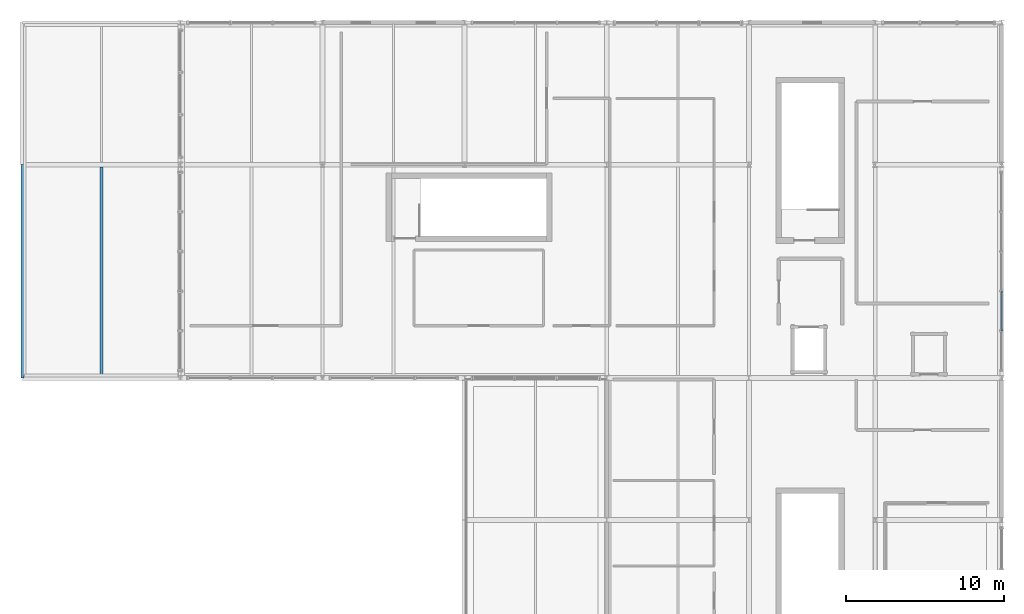
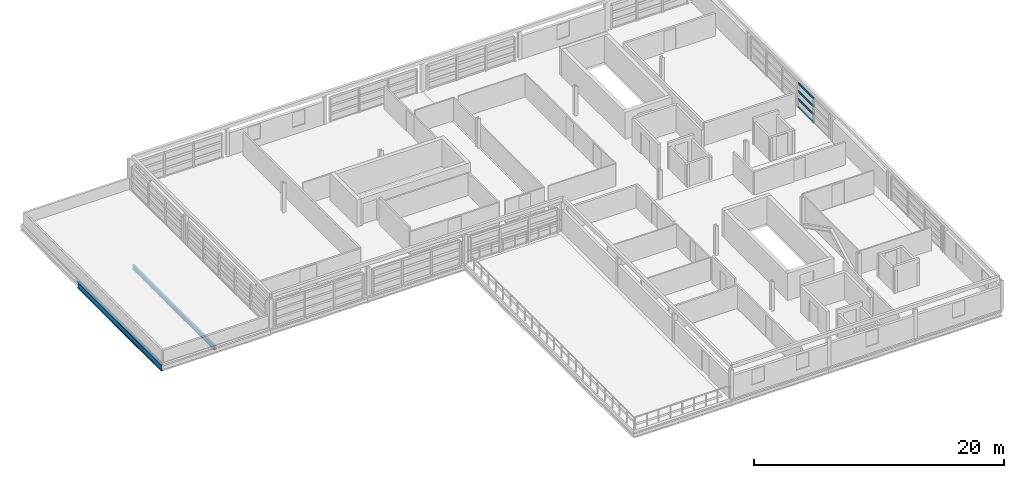
# One storey, part 12 of 27: 4 members, 2 beams, 1 element without a shape of its own.
"""IFC4 building model written with IfcOpenShell, lengths in metres."""

from ifc_helpers import new_model, si_unit, direction, frame, origin, origin_2d, place, context, subcontext, project, spatial, hollow_rectangle, i_section, extrude, material, material_profile, profile_set, type_object, element, aggregate, save


model = new_model("IFC4")

# Units and contexts
model_context = context("Model", 3, precision=1e-05, world=origin(), true_north=direction((0.0, 1.0)))
body_context = subcontext(model_context, "Body", "Model", "MODEL_VIEW")
ifc_project = project(units=[si_unit("LENGTHUNIT", "METRE"), si_unit("AREAUNIT", "SQUARE_METRE"), si_unit("VOLUMEUNIT", "CUBIC_METRE"), si_unit("PLANEANGLEUNIT", "RADIAN"), si_unit("MASSUNIT", "GRAM", prefix="KILO")], contexts=[model_context])

# Site, building, storey
site_placement = place(None, origin())
site = spatial("IfcSite", under=ifc_project, at=site_placement, CompositionType="ELEMENT")
building_placement = place(site_placement, origin())
building = spatial("IfcBuilding", under=site, at=building_placement, Name="Chuanluo Vaults Station", CompositionType="ELEMENT")
storey_placement = place(building_placement, frame((0.0, 0.0, 20.800048828125)))
storey = spatial("IfcBuildingStorey", under=building, at=storey_placement, Name="L05", CompositionType="ELEMENT", Elevation=20.800048828125)

# Beams
ifc_material_1 = material(Name="Steel Q355C", Category="steel")
ifc_material_profile_1 = material_profile(ifc_material_1, i_section(OverallWidth=0.199951171875, OverallDepth=0.60009765625, WebThickness=0.010986328125, FlangeThickness=0.01708984375, FilletRadius=0.01806640625, at=origin_2d()))
ifc_profile_set_1 = profile_set([ifc_material_profile_1], Name="Steel Q355C")
beam_type_1 = type_object("IfcBeamType", Name="BM-GRD-600", PredefinedType="USERDEFINED", material=ifc_profile_set_1)
beam_1_placement = place(storey_placement, frame((126.0, 103.5, -0.465087890625), z_axis=(0.0, 1.0, 0.0), x_axis=(-1.0, 0.0, 0.0)))
element("IfcBeam", 1, at=beam_1_placement, inside=storey, type_object=beam_type_1, Name="Floor girder BM:GY:L05:0985", ObjectType="GIRDER", PredefinedType="USERDEFINED", context=body_context, shape_type="SweptSolid", body=[
    extrude(i_section(OverallWidth=0.199951171875, OverallDepth=0.60009765625, WebThickness=0.010986328125, FlangeThickness=0.01708984375, FilletRadius=0.01806640625, at=origin_2d()), origin(), (0.0, 0.0, 1.0), 13.5),
])
ifc_material_2 = material(Name="Steel Q355C", Category="steel")
ifc_material_profile_2 = material_profile(ifc_material_2, i_section(OverallWidth=0.199951171875, OverallDepth=0.39990234375, WebThickness=0.008056640625, FlangeThickness=0.012939453125, FilletRadius=0.01611328125, at=origin_2d()))
ifc_profile_set_2 = profile_set([ifc_material_profile_2], Name="Steel Q355C")
beam_type_2 = type_object("IfcBeamType", Name="BM-SEC-400", PredefinedType="BEAM", material=ifc_profile_set_2)
beam_2_placement = place(storey_placement, frame((131.0, 103.655029296875, -0.364990234375), z_axis=(0.0, 1.0, 0.0), x_axis=(-1.0, 0.0, 0.0)))
element("IfcBeam", 2, at=beam_2_placement, inside=storey, type_object=beam_type_2, Name="Composite secondary joist 0294", PredefinedType="BEAM", context=body_context, shape_type="SweptSolid", body=[
    extrude(i_section(OverallWidth=0.199951171875, OverallDepth=0.39990234375, WebThickness=0.008056640625, FlangeThickness=0.012939453125, FilletRadius=0.01611328125, at=origin_2d()), origin(), (0.0, 0.0, 1.0), 13.18994140625),
])

# Curtain wall, members
ifc_material_3 = material(Name="Anodised aluminium 6063-T6", Category="aluminium")
curtain_wall_type = type_object("IfcCurtainWallType", Name="CW-SYS-04", PredefinedType="NOTDEFINED", material=ifc_material_3)
curtain_wall_placement = place(storey_placement, origin())
curtain_wall = element("IfcCurtainWall", 3, at=curtain_wall_placement, inside=storey, type_object=curtain_wall_type, Name="Operations L05 facade CW", PredefinedType="NOTDEFINED")
ifc_material_4 = material(Name="Anodised aluminium 6063-T6", Category="aluminium")
ifc_material_profile_3 = material_profile(ifc_material_4, hollow_rectangle(XDim=0.10498046875, YDim=0.18505859375, WallThickness=0.0048828125, at=origin_2d()))
ifc_profile_set_3 = profile_set([ifc_material_profile_3], Name="Anodised aluminium 6063-T6")
member_type = type_object("IfcMemberType", Name="CWT-110", PredefinedType="USERDEFINED", material=ifc_profile_set_3)
member_1_placement = place(storey_placement, frame((188.0, 108.9951171875, 0.0), z_axis=(0.0, -1.0, 0.0), x_axis=(1.0, 0.0, 0.0)))
member_1 = element("IfcMember", 4, at=member_1_placement, type_object=member_type, Name="Operations L05 facade CW transom 4.1", ObjectType="TRANSOM", PredefinedType="USERDEFINED", context=body_context, shape_type="SweptSolid", body=[
    extrude(hollow_rectangle(XDim=0.10498046875, YDim=0.18505859375, WallThickness=0.0048828125, at=origin_2d()), origin(), (0.0, 0.0, 1.0), 2.510009765625),
])
member_2_placement = place(storey_placement, frame((188.0, 108.9951171875, 0.783203125), z_axis=(0.0, -1.0, 0.0), x_axis=(1.0, 0.0, 0.0)))
member_2 = element("IfcMember", 5, at=member_2_placement, type_object=member_type, Name="Operations L05 facade CW transom 4.2", ObjectType="TRANSOM", PredefinedType="USERDEFINED", context=body_context, shape_type="SweptSolid", body=[
    extrude(hollow_rectangle(XDim=0.10498046875, YDim=0.18505859375, WallThickness=0.0048828125, at=origin_2d()), origin(), (0.0, 0.0, 1.0), 2.510009765625),
])
member_3_placement = place(storey_placement, frame((188.0, 108.9951171875, 1.566650390625), z_axis=(0.0, -1.0, 0.0), x_axis=(1.0, 0.0, 0.0)))
member_3 = element("IfcMember", 6, at=member_3_placement, type_object=member_type, Name="Operations L05 facade CW transom 4.3", ObjectType="TRANSOM", PredefinedType="USERDEFINED", context=body_context, shape_type="SweptSolid", body=[
    extrude(hollow_rectangle(XDim=0.10498046875, YDim=0.18505859375, WallThickness=0.0048828125, at=origin_2d()), origin(), (0.0, 0.0, 1.0), 2.510009765625),
])
member_4_placement = place(storey_placement, frame((188.0, 108.9951171875, 2.349853515625), z_axis=(0.0, -1.0, 0.0), x_axis=(1.0, 0.0, 0.0)))
member_4 = element("IfcMember", 7, at=member_4_placement, type_object=member_type, Name="Operations L05 facade CW transom 4.4", ObjectType="TRANSOM", PredefinedType="USERDEFINED", context=body_context, shape_type="SweptSolid", body=[
    extrude(hollow_rectangle(XDim=0.10498046875, YDim=0.18505859375, WallThickness=0.0048828125, at=origin_2d()), origin(), (0.0, 0.0, 1.0), 2.510009765625),
])
aggregate(curtain_wall, [member_1, member_2, member_3, member_4])

save(model, "model.ifc")
